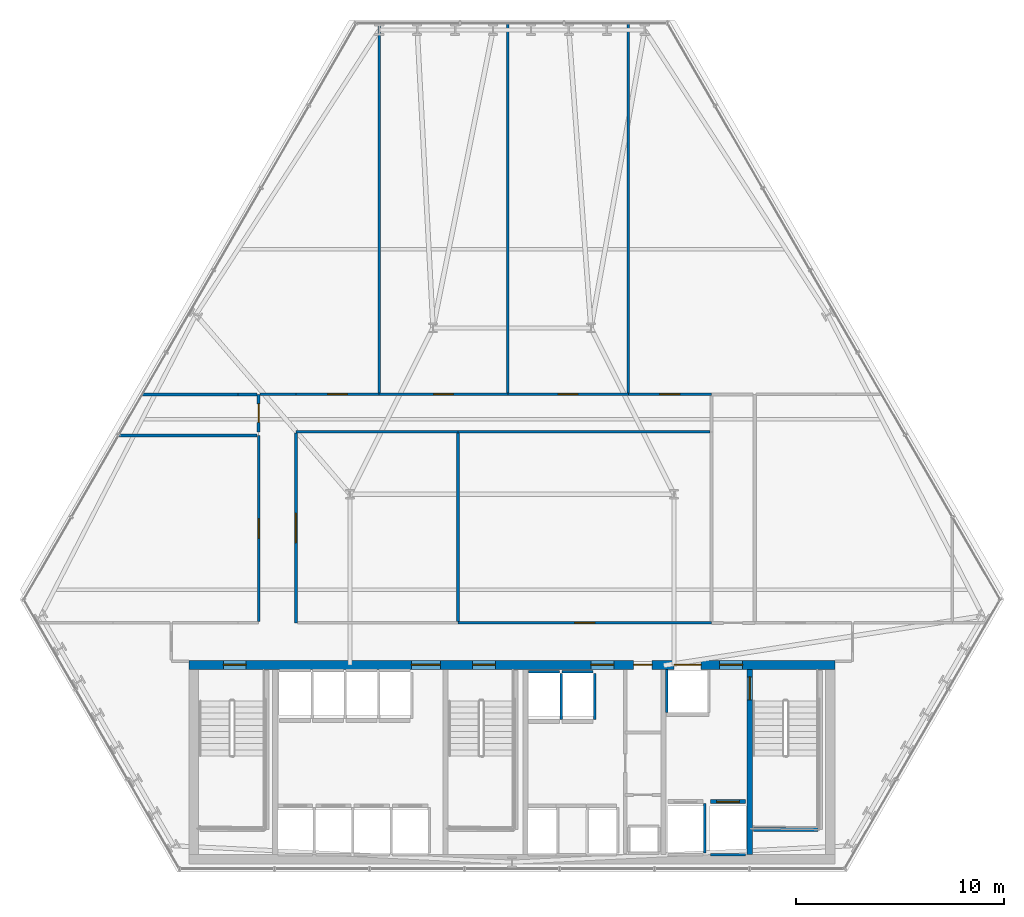
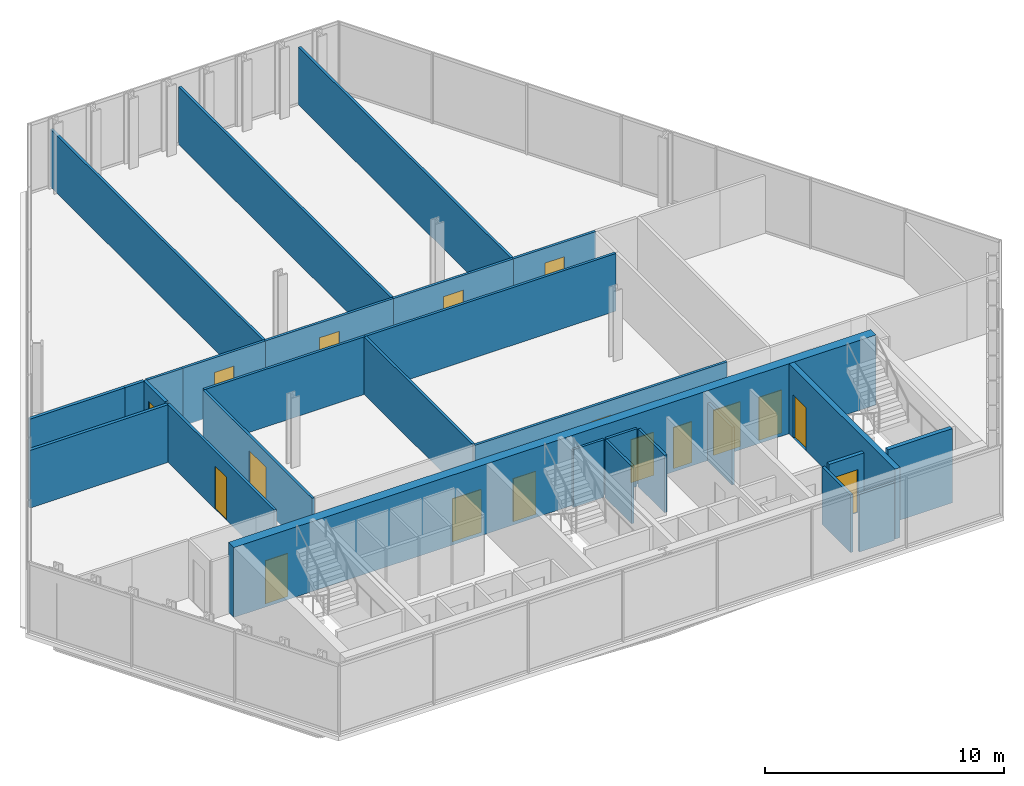
# One storey, part 28 of 32: 29 walls, 17 doors, 17 openings.
"""IFC4 building model written with IfcOpenShell, lengths in metres."""

from ifc_helpers import new_model, si_unit, direction, frame, frame_2d, origin, place, context, subcontext, project, spatial, rectangle, extrude, material, layer, layer_set, type_object, element, fill, save


model = new_model("IFC4")

# Units and contexts
model_context = context("Model", 3, precision=1e-05, world=origin(), true_north=direction((0.0, 1.0)))
body_context = subcontext(model_context, "Body", "Model", "MODEL_VIEW")
ifc_project = project(units=[si_unit("LENGTHUNIT", "METRE"), si_unit("AREAUNIT", "SQUARE_METRE"), si_unit("VOLUMEUNIT", "CUBIC_METRE"), si_unit("PLANEANGLEUNIT", "RADIAN"), si_unit("MASSUNIT", "GRAM", prefix="KILO")], contexts=[model_context])

# Site, building, storey
site_placement = place(None, origin())
site = spatial("IfcSite", under=ifc_project, at=site_placement, CompositionType="ELEMENT")
building_placement = place(site_placement, origin())
building = spatial("IfcBuilding", under=site, at=building_placement, Name="Ndaravel Arena Tower", CompositionType="ELEMENT")
storey_placement = place(building_placement, frame((0.0, 0.0, 70.199951171875)))
storey = spatial("IfcBuildingStorey", under=building, at=storey_placement, Name="L15", CompositionType="ELEMENT", Elevation=70.199951171875)

# Wall, opening, door
ifc_material_1 = material(Name="Concrete C60/75", Category="concrete")
ifc_layer_1 = layer(ifc_material_1, 0.25)
ifc_layer_set_1 = layer_set([ifc_layer_1], Name="Concrete C60/75")
wall_type_1 = type_object("IfcWallType", Name="WALL-CORE-250", PredefinedType="SOLIDWALL", material=ifc_layer_set_1)
wall_1_placement = place(storey_placement, frame((53.449951171875, 5.85009765625, 0.0), z_axis=(0.0, 0.0, 1.0), x_axis=(0.0, 1.0, 0.0)))
wall_1 = element("IfcWall", 1, at=wall_1_placement, inside=storey, type_object=wall_type_1, Name="L15 Core Web Shear Wall 5", PredefinedType="SOLIDWALL", context=body_context, shape_type="SweptSolid", body=[
    extrude(rectangle(XDim=8.89990234375, YDim=0.25, at=frame_2d((4.449951171875, 0.0))), origin(), (0.0, 0.0, 1.0), 3.580078125),
])
opening_1_placement = place(wall_1_placement, frame((7.449951171875, 0.0, 0.0)))
opening_1 = element("IfcOpeningElement", 2, at=opening_1_placement, cuts=wall_1, Name="Opening FD-01", PredefinedType="OPENING", context=body_context, shape_type="SweptSolid", body=[
    extrude(rectangle(XDim=1.10009765625, YDim=2.199951171875, at=frame_2d((0.550048828125, 1.10009765625))), frame((0.0, 0.125, 0.0), z_axis=(0.0, -1.0, 0.0), x_axis=(1.0, 0.0, 0.0)), (0.0, 0.0, 1.0), 0.25),
])
ifc_material_2 = material(Name="Steel S355", Category="steel")
door_type_1 = type_object("IfcDoorType", Name="DT-01-STAIR-1100", OperationType="SINGLE_SWING_LEFT", PredefinedType="DOOR", material=ifc_material_2)
door_1_placement = place(opening_1_placement, origin())
door_1 = element("IfcDoor", 3, at=door_1_placement, inside=storey, type_object=door_type_1, Name="L15 Firefighting Lobby to ST-3 Door", OperationType="SINGLE_SWING_LEFT", OverallHeight=2.199951171875, OverallWidth=1.10009765625, PredefinedType="DOOR", context=body_context, shape_type="SweptSolid", body=[
    extrude(rectangle(XDim=1.10009765625, YDim=2.199951171875, at=frame_2d((0.550048828125, 1.10009765625))), frame((0.0, 0.02490234375, 0.0), z_axis=(0.0, -1.0, 0.0), x_axis=(1.0, 0.0, 0.0)), (0.0, 0.0, 1.0), 0.050048828125),
])
fill(opening_1, door_1)

# Wall, openings, doors
ifc_material_3 = material(Name="Concrete C60/75", Category="concrete")
ifc_layer_2 = layer(ifc_material_3, 0.449951171875)
ifc_layer_set_2 = layer_set([ifc_layer_2], Name="Concrete C60/75")
wall_type_2 = type_object("IfcWallType", Name="WALL-CORE-450", PredefinedType="SOLIDWALL", material=ifc_layer_set_2)
wall_2_placement = place(storey_placement, frame((26.449951171875, 14.97509765625, 0.0), z_axis=(0.0, 0.0, 1.0), x_axis=(1.0, 0.0, 0.0)))
wall_2 = element("IfcWall", 4, at=wall_2_placement, inside=storey, type_object=wall_type_2, Name="L15 Core North Shear Wall", PredefinedType="SOLIDWALL", context=body_context, shape_type="SweptSolid", body=[
    extrude(rectangle(XDim=31.10009765625, YDim=0.449951171875, at=frame_2d((15.550048828125, 0.0))), origin(), (0.0, 0.0, 1.0), 3.580078125),
])
opening_2_placement = place(wall_2_placement, frame((1.64990234375, 0.0, 0.0)))
opening_2 = element("IfcOpeningElement", 5, at=opening_2_placement, cuts=wall_2, Name="Opening FD-01", PredefinedType="OPENING", context=body_context, shape_type="SweptSolid", body=[
    extrude(rectangle(XDim=1.10009765625, YDim=2.199951171875, at=frame_2d((0.550048828125, 1.10009765625))), frame((0.0, 0.22509765625, 0.0), z_axis=(0.0, -1.0, 0.0), x_axis=(1.0, 0.0, 0.0)), (0.0, 0.0, 1.0), 0.449951171875),
])
opening_3_placement = place(wall_2_placement, frame((13.64990234375, 0.0, 0.0)))
opening_3 = element("IfcOpeningElement", 6, at=opening_3_placement, cuts=wall_2, Name="Opening FD-01", PredefinedType="OPENING", context=body_context, shape_type="SweptSolid", body=[
    extrude(rectangle(XDim=1.10009765625, YDim=2.199951171875, at=frame_2d((0.550048828125, 1.10009765625))), frame((0.0, 0.22509765625, 0.0), z_axis=(0.0, -1.0, 0.0), x_axis=(1.0, 0.0, 0.0)), (0.0, 0.0, 1.0), 0.449951171875),
])
opening_4_placement = place(wall_2_placement, frame((25.550048828125, 0.0, 0.0)))
opening_4 = element("IfcOpeningElement", 7, at=opening_4_placement, cuts=wall_2, Name="Opening FD-01", PredefinedType="OPENING", context=body_context, shape_type="SweptSolid", body=[
    extrude(rectangle(XDim=1.10009765625, YDim=2.199951171875, at=frame_2d((0.550048828125, 1.10009765625))), frame((0.0, 0.22509765625, 0.0), z_axis=(0.0, -1.0, 0.0), x_axis=(1.0, 0.0, 0.0)), (0.0, 0.0, 1.0), 0.449951171875),
])
opening_5_placement = place(wall_2_placement, frame((10.699951171875, 0.0, 0.0)))
opening_5 = element("IfcOpeningElement", 8, at=opening_5_placement, cuts=wall_2, Name="Opening ID-02", PredefinedType="OPENING", context=body_context, shape_type="SweptSolid", body=[
    extrude(rectangle(XDim=1.39990234375, YDim=2.199951171875, at=frame_2d((0.699951171875, 1.10009765625))), frame((0.0, 0.22509765625, 0.0), z_axis=(0.0, -1.0, 0.0), x_axis=(1.0, 0.0, 0.0)), (0.0, 0.0, 1.0), 0.449951171875),
])
opening_6_placement = place(wall_2_placement, frame((19.35009765625, 0.0, 0.0)))
opening_6 = element("IfcOpeningElement", 9, at=opening_6_placement, cuts=wall_2, Name="Opening FD-01", PredefinedType="OPENING", context=body_context, shape_type="SweptSolid", body=[
    extrude(rectangle(XDim=1.10009765625, YDim=2.199951171875, at=frame_2d((0.550048828125, 1.10009765625))), frame((0.0, 0.22509765625, 0.0), z_axis=(0.0, -1.0, 0.0), x_axis=(1.0, 0.0, 0.0)), (0.0, 0.0, 1.0), 0.449951171875),
])
opening_7_placement = place(wall_2_placement, frame((21.39990234375, 0.0, 0.0)))
opening_7 = element("IfcOpeningElement", 10, at=opening_7_placement, cuts=wall_2, Name="Opening RD-01", PredefinedType="OPENING", context=body_context, shape_type="SweptSolid", body=[
    extrude(rectangle(XDim=0.89990234375, YDim=2.10009765625, at=frame_2d((0.449951171875, 1.050048828125))), frame((0.0, 0.22509765625, 0.0), z_axis=(0.0, -1.0, 0.0), x_axis=(1.0, 0.0, 0.0)), (0.0, 0.0, 1.0), 0.449951171875),
])
opening_8_placement = place(wall_2_placement, frame((23.35009765625, 0.0, 0.0)))
opening_8 = element("IfcOpeningElement", 11, at=opening_8_placement, cuts=wall_2, Name="Opening LD-02", PredefinedType="OPENING", context=body_context, shape_type="SweptSolid", body=[
    extrude(rectangle(XDim=1.300048828125, YDim=2.300048828125, at=frame_2d((0.64990234375, 1.14990234375))), frame((0.0, 0.22509765625, 0.0), z_axis=(0.0, -1.0, 0.0), x_axis=(1.0, 0.0, 0.0)), (0.0, 0.0, 1.0), 0.449951171875),
])
door_2_placement = place(opening_2_placement, origin())
door_2 = element("IfcDoor", 12, at=door_2_placement, inside=storey, type_object=door_type_1, Name="L15 Exit Stair ST-1 Door", OperationType="SINGLE_SWING_RIGHT", OverallHeight=2.199951171875, OverallWidth=1.10009765625, PredefinedType="DOOR", context=body_context, shape_type="SweptSolid", body=[
    extrude(rectangle(XDim=1.10009765625, YDim=2.199951171875, at=frame_2d((0.550048828125, 1.10009765625))), frame((0.0, 0.02490234375, 0.0), z_axis=(0.0, -1.0, 0.0), x_axis=(1.0, 0.0, 0.0)), (0.0, 0.0, 1.0), 0.050048828125),
])
fill(opening_2, door_2)
door_3_placement = place(opening_3_placement, origin())
door_3 = element("IfcDoor", 13, at=door_3_placement, inside=storey, type_object=door_type_1, Name="L15 Exit Stair ST-2 Door", OperationType="SINGLE_SWING_LEFT", OverallHeight=2.199951171875, OverallWidth=1.10009765625, PredefinedType="DOOR", context=body_context, shape_type="SweptSolid", body=[
    extrude(rectangle(XDim=1.10009765625, YDim=2.199951171875, at=frame_2d((0.550048828125, 1.10009765625))), frame((0.0, 0.02490234375, 0.0), z_axis=(0.0, -1.0, 0.0), x_axis=(1.0, 0.0, 0.0)), (0.0, 0.0, 1.0), 0.050048828125),
])
fill(opening_3, door_3)
door_4_placement = place(opening_4_placement, origin())
door_4 = element("IfcDoor", 14, at=door_4_placement, inside=storey, type_object=door_type_1, Name="L15 Firefighting Lift Lobby Door", OperationType="SINGLE_SWING_RIGHT", OverallHeight=2.199951171875, OverallWidth=1.10009765625, PredefinedType="DOOR", context=body_context, shape_type="SweptSolid", body=[
    extrude(rectangle(XDim=1.10009765625, YDim=2.199951171875, at=frame_2d((0.550048828125, 1.10009765625))), frame((0.0, 0.02490234375, 0.0), z_axis=(0.0, -1.0, 0.0), x_axis=(1.0, 0.0, 0.0)), (0.0, 0.0, 1.0), 0.050048828125),
])
fill(opening_4, door_4)
door_5_placement = place(opening_6_placement, origin())
door_5 = element("IfcDoor", 15, at=door_5_placement, inside=storey, type_object=door_type_1, Name="L15 Express Lift Lobby Entry Door", OperationType="SINGLE_SWING_LEFT", OverallHeight=2.199951171875, OverallWidth=1.10009765625, PredefinedType="DOOR", context=body_context, shape_type="SweptSolid", body=[
    extrude(rectangle(XDim=1.10009765625, YDim=2.199951171875, at=frame_2d((0.550048828125, 1.10009765625))), frame((0.0, 0.02490234375, 0.0), z_axis=(0.0, -1.0, 0.0), x_axis=(1.0, 0.0, 0.0)), (0.0, 0.0, 1.0), 0.050048828125),
])
fill(opening_6, door_5)
ifc_material_4 = material(Name="Timber", Category="wood")
door_type_2 = type_object("IfcDoorType", Name="DT-04-SUITE-1400", OperationType="DOUBLE_DOOR_SINGLE_SWING", PredefinedType="DOOR", material=ifc_material_4)
door_6_placement = place(opening_5_placement, origin())
door_6 = element("IfcDoor", 16, at=door_6_placement, inside=storey, type_object=door_type_2, Name="L15 West Lift Lobby Entry Door", OperationType="DOUBLE_DOOR_SINGLE_SWING", OverallHeight=2.199951171875, OverallWidth=1.39990234375, PredefinedType="DOOR", context=body_context, shape_type="SweptSolid", body=[
    extrude(rectangle(XDim=1.39990234375, YDim=2.199951171875, at=frame_2d((0.699951171875, 1.10009765625))), frame((0.0, 0.02490234375, 0.0), z_axis=(0.0, -1.0, 0.0), x_axis=(1.0, 0.0, 0.0)), (0.0, 0.0, 1.0), 0.050048828125),
])
fill(opening_5, door_6)
ifc_material_5 = material(Name="Steel S355", Category="steel")
door_type_3 = type_object("IfcDoorType", Name="DT-07-SVLIFT-1300", OperationType="DOUBLE_DOOR_SLIDING", PredefinedType="DOOR", material=ifc_material_5)
door_7_placement = place(opening_8_placement, origin())
door_7 = element("IfcDoor", 17, at=door_7_placement, inside=storey, type_object=door_type_3, Name="L15 Lift SVL-1 Sliding Landing Door", OperationType="DOUBLE_DOOR_SLIDING", OverallHeight=2.300048828125, OverallWidth=1.300048828125, PredefinedType="DOOR", context=body_context, shape_type="SweptSolid", body=[
    extrude(rectangle(XDim=1.300048828125, YDim=2.300048828125, at=frame_2d((0.64990234375, 1.14990234375))), frame((0.0, 0.02490234375, 0.0), z_axis=(0.0, -1.0, 0.0), x_axis=(1.0, 0.0, 0.0)), (0.0, 0.0, 1.0), 0.050048828125),
])
fill(opening_8, door_7)
ifc_material_6 = material(Name="Steel S355", Category="steel")
door_type_4 = type_object("IfcDoorType", Name="DT-08-RISER-900", OperationType="SINGLE_SWING_LEFT", PredefinedType="DOOR", material=ifc_material_6)
door_8_placement = place(opening_7_placement, origin())
door_8 = element("IfcDoor", 18, at=door_8_placement, inside=storey, type_object=door_type_4, Name="L15 Core Service Riser North Door", OperationType="SINGLE_SWING_LEFT", OverallHeight=2.10009765625, OverallWidth=0.89990234375, PredefinedType="DOOR", context=body_context, shape_type="SweptSolid", body=[
    extrude(rectangle(XDim=0.89990234375, YDim=2.10009765625, at=frame_2d((0.449951171875, 1.050048828125))), frame((0.0, 0.02490234375, 0.0), z_axis=(0.0, -1.0, 0.0), x_axis=(1.0, 0.0, 0.0)), (0.0, 0.0, 1.0), 0.050048828125),
])
fill(opening_7, door_8)

# Wall, opening, door
ifc_material_7 = material(Name="Gypsum", Category="gypsum")
ifc_layer_3 = layer(ifc_material_7, 0.125)
ifc_layer_set_3 = layer_set([ifc_layer_3], Name="Gypsum")
wall_type_3 = type_object("IfcWallType", Name="WALL-PART-125", PredefinedType="PARTITIONING", material=ifc_layer_set_3)
wall_3_placement = place(storey_placement, frame((29.800048828125, 17.06494140625, 0.0), z_axis=(0.0, 0.0, 1.0), x_axis=(0.0, 1.0, 0.0)))
wall_3 = element("IfcWall", 19, at=wall_3_placement, inside=storey, type_object=wall_type_3, Name="L15 Interior Partition 007", PredefinedType="PARTITIONING", context=body_context, shape_type="SweptSolid", body=[
    extrude(rectangle(XDim=8.955078125, YDim=0.125, at=frame_2d((4.4775390625, 0.0))), origin(), (0.0, 0.0, 1.0), 2.949951171875),
])
opening_9_placement = place(wall_3_placement, frame((4.00244140625, 0.0, 0.0)))
opening_9 = element("IfcOpeningElement", 20, at=opening_9_placement, cuts=wall_3, Name="Opening ID-01", PredefinedType="OPENING", context=body_context, shape_type="SweptSolid", body=[
    extrude(rectangle(XDim=0.949951171875, YDim=2.199951171875, at=frame_2d((0.47509765625, 1.10009765625))), frame((0.0, 0.0625, 0.0), z_axis=(0.0, -1.0, 0.0), x_axis=(1.0, 0.0, 0.0)), (0.0, 0.0, 1.0), 0.125),
])
ifc_material_8 = material(Name="Timber", Category="wood")
door_type_5 = type_object("IfcDoorType", Name="DT-03-OFFICE-950", OperationType="SINGLE_SWING_LEFT", PredefinedType="DOOR", material=ifc_material_8)
door_9_placement = place(opening_9_placement, origin())
door_9 = element("IfcDoor", 21, at=door_9_placement, inside=storey, type_object=door_type_5, Name="L15 Staff Wellness Clinic Door", OperationType="SINGLE_SWING_RIGHT", OverallHeight=2.199951171875, OverallWidth=0.949951171875, PredefinedType="DOOR", context=body_context, shape_type="SweptSolid", body=[
    extrude(rectangle(XDim=0.949951171875, YDim=2.199951171875, at=frame_2d((0.47509765625, 1.10009765625))), frame((0.0, 0.02490234375, 0.0), z_axis=(0.0, -1.0, 0.0), x_axis=(1.0, 0.0, 0.0)), (0.0, 0.0, 1.0), 0.050048828125),
])
fill(opening_9, door_9)

# Wall
wall_4_placement = place(storey_placement, frame((29.864990234375, 28.0, 0.0), z_axis=(0.0, 0.0, 1.0), x_axis=(1.0, 0.0, 0.0)))
element("IfcWall", 22, at=wall_4_placement, inside=storey, type_object=wall_type_3, Name="L15 Interior Partition 009", PredefinedType="PARTITIONING", context=body_context, shape_type="SweptSolid", body=[
    extrude(rectangle(XDim=1.735107421875, YDim=0.125, at=frame_2d((0.86767578125, 0.0))), origin(), (0.0, 0.0, 1.0), 2.949951171875),
])

# Wall, opening, door
wall_5_placement = place(storey_placement, frame((31.60009765625, 28.0, 0.0), z_axis=(0.0, 0.0, 1.0), x_axis=(1.0, 0.0, 0.0)))
wall_5 = element("IfcWall", 23, at=wall_5_placement, inside=storey, type_object=wall_type_3, Name="L15 Interior Partition 010", PredefinedType="PARTITIONING", context=body_context, shape_type="SweptSolid", body=[
    extrude(rectangle(XDim=4.0, YDim=0.125, at=frame_2d((2.0, 0.0))), origin(), (0.0, 0.0, 1.0), 2.949951171875),
])
opening_10_placement = place(wall_5_placement, frame((1.52490234375, 0.0, 0.0)))
opening_10 = element("IfcOpeningElement", 24, at=opening_10_placement, cuts=wall_5, Name="Opening ID-01", PredefinedType="OPENING", context=body_context, shape_type="SweptSolid", body=[
    extrude(rectangle(XDim=0.949951171875, YDim=2.199951171875, at=frame_2d((0.47509765625, 1.10009765625))), frame((0.0, 0.0625, 0.0), z_axis=(0.0, -1.0, 0.0), x_axis=(1.0, 0.0, 0.0)), (0.0, 0.0, 1.0), 0.125),
])
door_10_placement = place(opening_10_placement, origin())
door_10 = element("IfcDoor", 25, at=door_10_placement, inside=storey, type_object=door_type_5, Name="L15 Wellness Fitness Gym 2 Door", OperationType="SINGLE_SWING_RIGHT", OverallHeight=2.199951171875, OverallWidth=0.949951171875, PredefinedType="DOOR", context=body_context, shape_type="SweptSolid", body=[
    extrude(rectangle(XDim=0.949951171875, YDim=2.199951171875, at=frame_2d((0.47509765625, 1.10009765625))), frame((0.0, 0.02490234375, 0.0), z_axis=(0.0, -1.0, 0.0), x_axis=(1.0, 0.0, 0.0)), (0.0, 0.0, 1.0), 0.050048828125),
])
fill(opening_10, door_10)

wall_6_placement = place(storey_placement, frame((35.60009765625, 28.0, 0.0), z_axis=(0.0, 0.0, 1.0), x_axis=(1.0, 0.0, 0.0)))
wall_6 = element("IfcWall", 26, at=wall_6_placement, inside=storey, type_object=wall_type_3, Name="L15 Interior Partition 011", PredefinedType="PARTITIONING", context=body_context, shape_type="SweptSolid", body=[
    extrude(rectangle(XDim=6.199951171875, YDim=0.125, at=frame_2d((3.10009765625, 0.0))), origin(), (0.0, 0.0, 1.0), 2.949951171875),
])
opening_11_placement = place(wall_6_placement, frame((2.625, 0.0, 0.0)))
opening_11 = element("IfcOpeningElement", 27, at=opening_11_placement, cuts=wall_6, Name="Opening ID-01", PredefinedType="OPENING", context=body_context, shape_type="SweptSolid", body=[
    extrude(rectangle(XDim=0.949951171875, YDim=2.199951171875, at=frame_2d((0.47509765625, 1.10009765625))), frame((0.0, 0.0625, 0.0), z_axis=(0.0, -1.0, 0.0), x_axis=(1.0, 0.0, 0.0)), (0.0, 0.0, 1.0), 0.125),
])
door_11_placement = place(opening_11_placement, origin())
door_11 = element("IfcDoor", 28, at=door_11_placement, inside=storey, type_object=door_type_5, Name="L15 Executive Corner Office 4 Door", OperationType="SINGLE_SWING_RIGHT", OverallHeight=2.199951171875, OverallWidth=0.949951171875, PredefinedType="DOOR", context=body_context, shape_type="SweptSolid", body=[
    extrude(rectangle(XDim=0.949951171875, YDim=2.199951171875, at=frame_2d((0.47509765625, 1.10009765625))), frame((0.0, 0.02490234375, 0.0), z_axis=(0.0, -1.0, 0.0), x_axis=(1.0, 0.0, 0.0)), (0.0, 0.0, 1.0), 0.050048828125),
])
fill(opening_11, door_11)

wall_7_placement = place(storey_placement, frame((41.800048828125, 28.0, 0.0), z_axis=(0.0, 0.0, 1.0), x_axis=(1.0, 0.0, 0.0)))
wall_7 = element("IfcWall", 29, at=wall_7_placement, inside=storey, type_object=wall_type_3, Name="L15 Interior Partition 012", PredefinedType="PARTITIONING", context=body_context, shape_type="SweptSolid", body=[
    extrude(rectangle(XDim=5.800048828125, YDim=0.125, at=frame_2d((2.89990234375, 0.0))), origin(), (0.0, 0.0, 1.0), 2.949951171875),
])
opening_12_placement = place(wall_7_placement, frame((2.425048828125, 0.0, 0.0)))
opening_12 = element("IfcOpeningElement", 30, at=opening_12_placement, cuts=wall_7, Name="Opening ID-01", PredefinedType="OPENING", context=body_context, shape_type="SweptSolid", body=[
    extrude(rectangle(XDim=0.949951171875, YDim=2.199951171875, at=frame_2d((0.47509765625, 1.10009765625))), frame((0.0, 0.0625, 0.0), z_axis=(0.0, -1.0, 0.0), x_axis=(1.0, 0.0, 0.0)), (0.0, 0.0, 1.0), 0.125),
])
door_12_placement = place(opening_12_placement, origin())
door_12 = element("IfcDoor", 31, at=door_12_placement, inside=storey, type_object=door_type_5, Name="L15 Design Workshop 4 Door", OperationType="SINGLE_SWING_LEFT", OverallHeight=2.199951171875, OverallWidth=0.949951171875, PredefinedType="DOOR", context=body_context, shape_type="SweptSolid", body=[
    extrude(rectangle(XDim=0.949951171875, YDim=2.199951171875, at=frame_2d((0.47509765625, 1.10009765625))), frame((0.0, 0.02490234375, 0.0), z_axis=(0.0, -1.0, 0.0), x_axis=(1.0, 0.0, 0.0)), (0.0, 0.0, 1.0), 0.050048828125),
])
fill(opening_12, door_12)

wall_8_placement = place(storey_placement, frame((47.60009765625, 28.0, 0.0), z_axis=(0.0, 0.0, 1.0), x_axis=(1.0, 0.0, 0.0)))
wall_8 = element("IfcWall", 32, at=wall_8_placement, inside=storey, type_object=wall_type_3, Name="L15 Interior Partition 013", PredefinedType="PARTITIONING", context=body_context, shape_type="SweptSolid", body=[
    extrude(rectangle(XDim=4.0, YDim=0.125, at=frame_2d((2.0, 0.0))), origin(), (0.0, 0.0, 1.0), 2.949951171875),
])
opening_13_placement = place(wall_8_placement, frame((1.52490234375, 0.0, 0.0)))
opening_13 = element("IfcOpeningElement", 33, at=opening_13_placement, cuts=wall_8, Name="Opening ID-01", PredefinedType="OPENING", context=body_context, shape_type="SweptSolid", body=[
    extrude(rectangle(XDim=0.949951171875, YDim=2.199951171875, at=frame_2d((0.47509765625, 1.10009765625))), frame((0.0, 0.0625, 0.0), z_axis=(0.0, -1.0, 0.0), x_axis=(1.0, 0.0, 0.0)), (0.0, 0.0, 1.0), 0.125),
])
door_13_placement = place(opening_13_placement, origin())
door_13 = element("IfcDoor", 34, at=door_13_placement, inside=storey, type_object=door_type_5, Name="L15 Media Cinema Room 3 Door", OperationType="SINGLE_SWING_LEFT", OverallHeight=2.199951171875, OverallWidth=0.949951171875, PredefinedType="DOOR", context=body_context, shape_type="SweptSolid", body=[
    extrude(rectangle(XDim=0.949951171875, YDim=2.199951171875, at=frame_2d((0.47509765625, 1.10009765625))), frame((0.0, 0.02490234375, 0.0), z_axis=(0.0, -1.0, 0.0), x_axis=(1.0, 0.0, 0.0)), (0.0, 0.0, 1.0), 0.050048828125),
])
fill(opening_13, door_13)

# Walls
wall_9_placement = place(storey_placement, frame((51.534912109375, 26.199951171875, 0.0), z_axis=(0.0, 0.0, 1.0), x_axis=(-1.0, 0.0, 0.0)))
element("IfcWall", 35, at=wall_9_placement, inside=storey, type_object=wall_type_3, Name="L15 Interior Partition 015", PredefinedType="PARTITIONING", context=body_context, shape_type="SweptSolid", body=[
    extrude(rectangle(XDim=12.135009765625, YDim=0.125, at=frame_2d((6.0673828125, 0.0))), origin(), (0.0, 0.0, 1.0), 2.949951171875),
])
wall_10_placement = place(storey_placement, frame((39.39990234375, 26.199951171875, 0.0), z_axis=(0.0, 0.0, 1.0), x_axis=(-1.0, 0.0, 0.0)))
element("IfcWall", 36, at=wall_10_placement, inside=storey, type_object=wall_type_3, Name="L15 Interior Partition 016", PredefinedType="PARTITIONING", context=body_context, shape_type="SweptSolid", body=[
    extrude(rectangle(XDim=7.7998046875, YDim=0.125, at=frame_2d((3.89990234375, 0.0))), origin(), (0.0, 0.0, 1.0), 2.949951171875),
])

# Wall, opening, door
wall_11_placement = place(storey_placement, frame((31.60009765625, 26.135009765625, 0.0), z_axis=(0.0, 0.0, 1.0), x_axis=(0.0, -1.0, 0.0)))
wall_11 = element("IfcWall", 37, at=wall_11_placement, inside=storey, type_object=wall_type_3, Name="L15 Interior Partition 017", PredefinedType="PARTITIONING", context=body_context, shape_type="SweptSolid", body=[
    extrude(rectangle(XDim=9.135009765625, YDim=0.125, at=frame_2d((4.5673828125, 0.0))), origin(), (0.0, 0.0, 1.0), 2.949951171875),
])
opening_14_placement = place(wall_11_placement, frame((3.867431640625, 0.0, 0.0)))
opening_14 = element("IfcOpeningElement", 38, at=opening_14_placement, cuts=wall_11, Name="Opening ID-02", PredefinedType="OPENING", context=body_context, shape_type="SweptSolid", body=[
    extrude(rectangle(XDim=1.39990234375, YDim=2.199951171875, at=frame_2d((0.699951171875, 1.10009765625))), frame((0.0, 0.0625, 0.0), z_axis=(0.0, -1.0, 0.0), x_axis=(1.0, 0.0, 0.0)), (0.0, 0.0, 1.0), 0.125),
])
door_14_placement = place(opening_14_placement, origin())
door_14 = element("IfcDoor", 39, at=door_14_placement, inside=storey, type_object=door_type_2, Name="L15 Executive Boardroom Door", OperationType="SINGLE_SWING_LEFT", OverallHeight=2.199951171875, OverallWidth=1.39990234375, PredefinedType="DOOR", context=body_context, shape_type="SweptSolid", body=[
    extrude(rectangle(XDim=1.39990234375, YDim=2.199951171875, at=frame_2d((0.699951171875, 1.10009765625))), frame((0.0, 0.02490234375, 0.0), z_axis=(0.0, -1.0, 0.0), x_axis=(1.0, 0.0, 0.0)), (0.0, 0.0, 1.0), 0.050048828125),
])
fill(opening_14, door_14)

wall_12_placement = place(storey_placement, frame((39.39990234375, 17.0, 0.0), z_axis=(0.0, 0.0, 1.0), x_axis=(1.0, 0.0, 0.0)))
wall_12 = element("IfcWall", 40, at=wall_12_placement, inside=storey, type_object=wall_type_3, Name="L15 Interior Partition 019", PredefinedType="PARTITIONING", context=body_context, shape_type="SweptSolid", body=[
    extrude(rectangle(XDim=12.2001953125, YDim=0.125, at=frame_2d((6.10009765625, 0.0))), origin(), (0.0, 0.0, 1.0), 2.949951171875),
])
opening_15_placement = place(wall_12_placement, frame((5.625, 0.0, 0.0)))
opening_15 = element("IfcOpeningElement", 41, at=opening_15_placement, cuts=wall_12, Name="Opening ID-01", PredefinedType="OPENING", context=body_context, shape_type="SweptSolid", body=[
    extrude(rectangle(XDim=0.949951171875, YDim=2.199951171875, at=frame_2d((0.47509765625, 1.10009765625))), frame((0.0, 0.0625, 0.0), z_axis=(0.0, -1.0, 0.0), x_axis=(1.0, 0.0, 0.0)), (0.0, 0.0, 1.0), 0.125),
])
door_15_placement = place(opening_15_placement, origin())
door_15 = element("IfcDoor", 42, at=door_15_placement, inside=storey, type_object=door_type_5, Name="L15 Cellular Partner Office 2 Door", OperationType="SINGLE_SWING_RIGHT", OverallHeight=2.199951171875, OverallWidth=0.949951171875, PredefinedType="DOOR", context=body_context, shape_type="SweptSolid", body=[
    extrude(rectangle(XDim=0.949951171875, YDim=2.199951171875, at=frame_2d((0.47509765625, 1.10009765625))), frame((0.0, 0.02490234375, 0.0), z_axis=(0.0, -1.0, 0.0), x_axis=(1.0, 0.0, 0.0)), (0.0, 0.0, 1.0), 0.050048828125),
])
fill(opening_15, door_15)

# Walls
wall_13_placement = place(storey_placement, frame((39.39990234375, 26.135009765625, 0.0), z_axis=(0.0, 0.0, 1.0), x_axis=(0.0, -1.0, 0.0)))
element("IfcWall", 43, at=wall_13_placement, inside=storey, type_object=wall_type_3, Name="L15 Interior Partition 028", PredefinedType="PARTITIONING", context=body_context, shape_type="SweptSolid", body=[
    extrude(rectangle(XDim=9.070068359375, YDim=0.125, at=frame_2d((4.53515625, 0.0))), origin(), (0.0, 0.0, 1.0), 2.949951171875),
])
for number, where, z_axis, x_axis, name in (
    (44, (35.60009765625, 45.865478515625, 0.0), (0.0, 0.0, 1.0), (0.0, -1.0, 0.0), "L15 Interior Partition 037"),
    (45, (47.60009765625, 28.06494140625, 0.0), (0.0, 0.0, 1.0), (0.0, 1.0, 0.0), "L15 Interior Partition 038"),
    (46, (41.800048828125, 45.865478515625, 0.0), (0.0, 0.0, 1.0), (0.0, -1.0, 0.0), "L15 Interior Partition 039"),
):
    element("IfcWall", number, at=place(storey_placement, frame(where, z_axis=z_axis, x_axis=x_axis)), inside=storey, type_object=wall_type_3, Name=name, PredefinedType="PARTITIONING", context=body_context, shape_type="SweptSolid", body=[
        extrude(rectangle(XDim=17.800537109375, YDim=0.125, at=frame_2d((8.900390625, 0.0))), origin(), (0.0, 0.0, 1.0), 2.949951171875),
    ])
ifc_material_9 = material(Name="Concrete C40/50", Category="concrete")
ifc_layer_4 = layer(ifc_material_9, 0.1201171875)
ifc_layer_set_4 = layer_set([ifc_layer_4], Name="Concrete C40/50")
wall_type_4 = type_object("IfcWallType", Name="WALL-SHAFT-120", PredefinedType="SOLIDWALL", material=ifc_layer_set_4)
wall_14_placement = place(storey_placement, frame((42.804931640625, 14.659912109375, 0.0), z_axis=(0.0, 0.0, 1.0), x_axis=(1.0, 0.0, 0.0)))
element("IfcWall", 47, at=wall_14_placement, inside=storey, type_object=wall_type_4, Name="L15 PL-OBS1 Shaft Rear Wall", PredefinedType="SOLIDWALL", context=body_context, shape_type="SweptSolid", body=[
    extrude(rectangle(XDim=1.489990234375, YDim=0.1201171875, at=frame_2d((0.7451171875, 0.0))), origin(), (0.0, 0.0, 1.0), 2.949951171875),
])
wall_15_placement = place(storey_placement, frame((44.375, 12.340087890625, 0.0), z_axis=(0.0, 0.0, 1.0), x_axis=(0.0, 1.0, 0.0)))
element("IfcWall", 48, at=wall_15_placement, inside=storey, type_object=wall_type_4, Name="L15 PL-OBS1 Shaft Side R Wall", PredefinedType="SOLIDWALL", context=body_context, shape_type="SweptSolid", body=[
    extrude(rectangle(XDim=2.22998046875, YDim=0.1201171875, at=frame_2d((1.114990234375, 0.0))), origin(), (0.0, 0.0, 1.0), 2.949951171875),
])
wall_16_placement = place(storey_placement, frame((44.405029296875, 14.659912109375, 0.0), z_axis=(0.0, 0.0, 1.0), x_axis=(1.0, 0.0, 0.0)))
element("IfcWall", 49, at=wall_16_placement, inside=storey, type_object=wall_type_4, Name="L15 PL-OBS2 Shaft Rear Wall", PredefinedType="SOLIDWALL", context=body_context, shape_type="SweptSolid", body=[
    extrude(rectangle(XDim=1.489990234375, YDim=0.1201171875, at=frame_2d((0.7451171875, 0.0))), origin(), (0.0, 0.0, 1.0), 2.949951171875),
])
wall_17_placement = place(storey_placement, frame((45.97509765625, 12.340087890625, 0.0), z_axis=(0.0, 0.0, 1.0), x_axis=(0.0, 1.0, 0.0)))
element("IfcWall", 50, at=wall_17_placement, inside=storey, type_object=wall_type_4, Name="L15 PL-OBS2 Shaft Side R Wall", PredefinedType="SOLIDWALL", context=body_context, shape_type="SweptSolid", body=[
    extrude(rectangle(XDim=2.22998046875, YDim=0.1201171875, at=frame_2d((1.114990234375, 0.0))), origin(), (0.0, 0.0, 1.0), 2.949951171875),
])
wall_18_placement = place(storey_placement, frame((51.27490234375, 5.929931640625, 0.0), z_axis=(0.0, 0.0, 1.0), x_axis=(0.0, 1.0, 0.0)))
element("IfcWall", 51, at=wall_18_placement, inside=storey, type_object=wall_type_4, Name="L15 FFL-1 Shaft Side R Wall", PredefinedType="SOLIDWALL", context=body_context, shape_type="SweptSolid", body=[
    extrude(rectangle(XDim=2.380126953125, YDim=0.1201171875, at=frame_2d((1.18994140625, 0.0))), origin(), (0.0, 0.0, 1.0), 2.949951171875),
])
wall_19_placement = place(storey_placement, frame((51.554931640625, 5.840087890625, 0.0), z_axis=(0.0, 0.0, 1.0), x_axis=(1.0, 0.0, 0.0)))
element("IfcWall", 52, at=wall_19_placement, inside=storey, type_object=wall_type_4, Name="L15 FFL-2 Shaft Rear Wall", PredefinedType="SOLIDWALL", context=body_context, shape_type="SweptSolid", body=[
    extrude(rectangle(XDim=1.690185546875, YDim=0.1201171875, at=frame_2d((0.84521484375, 0.0))), origin(), (0.0, 0.0, 1.0), 2.949951171875),
])
wall_20_placement = place(storey_placement, frame((49.43994140625, 12.68994140625, 0.0), z_axis=(0.0, 0.0, 1.0), x_axis=(0.0, 1.0, 0.0)))
element("IfcWall", 53, at=wall_20_placement, inside=storey, type_object=wall_type_4, Name="L15 SVL-1 Shaft W Wall", PredefinedType="SOLIDWALL", context=body_context, shape_type="SweptSolid", body=[
    extrude(rectangle(XDim=2.070068359375, YDim=0.1201171875, at=frame_2d((1.03515625, 0.0))), origin(), (0.0, 0.0, 1.0), 2.949951171875),
])
ifc_material_10 = material(Name="Concrete C40/50", Category="concrete")
ifc_layer_5 = layer(ifc_material_10, 0.199951171875)
ifc_layer_set_5 = layer_set([ifc_layer_5], Name="Concrete C40/50")
wall_type_5 = type_object("IfcWallType", Name="WALL-SHAFT-200", PredefinedType="SOLIDWALL", material=ifc_layer_set_5)
wall_21_placement = place(storey_placement, frame((53.6201171875, 7.050048828125, 0.0), z_axis=(0.0, 0.0, 1.0), x_axis=(1.0, 0.0, 0.0)))
element("IfcWall", 54, at=wall_21_placement, inside=storey, type_object=wall_type_5, Name="L15 ST-3 Structural Shaft Wall Far", PredefinedType="SOLIDWALL", context=body_context, shape_type="SweptSolid", body=[
    extrude(rectangle(XDim=3.114990234375, YDim=0.199951171875, at=frame_2d((1.5576171875, 0.0))), origin(), (0.0, 0.0, 1.0), 3.800048828125),
])

# Wall, opening, door
wall_22_placement = place(storey_placement, frame((51.554931640625, 8.39990234375, 0.0), z_axis=(0.0, 0.0, 1.0), x_axis=(1.0, 0.0, 0.0)))
wall_22 = element("IfcWall", 55, at=wall_22_placement, inside=storey, type_object=wall_type_5, Name="L15 FFL-2 Shaft Landing Wall", PredefinedType="SOLIDWALL", context=body_context, shape_type="SweptSolid", body=[
    extrude(rectangle(XDim=1.690185546875, YDim=0.179931640625, at=frame_2d((0.84521484375, 0.0))), origin(), (0.0, 0.0, 1.0), 2.949951171875),
])
opening_16_placement = place(wall_22_placement, frame((0.294921875, 0.0, 0.0)))
opening_16 = element("IfcOpeningElement", 56, at=opening_16_placement, cuts=wall_22, Name="Opening LD-01", PredefinedType="OPENING", context=body_context, shape_type="SweptSolid", body=[
    extrude(rectangle(XDim=1.10009765625, YDim=2.199951171875, at=frame_2d((0.550048828125, 1.10009765625))), frame((0.0, 0.08984375, 0.0), z_axis=(0.0, -1.0, 0.0), x_axis=(1.0, 0.0, 0.0)), (0.0, 0.0, 1.0), 0.179931640625),
])
ifc_material_11 = material(Name="Steel S355", Category="steel")
door_type_6 = type_object("IfcDoorType", Name="DT-06-LIFT-1100", OperationType="SLIDING_TO_LEFT", PredefinedType="DOOR", material=ifc_material_11)
door_16_placement = place(opening_16_placement, origin())
door_16 = element("IfcDoor", 57, at=door_16_placement, inside=storey, type_object=door_type_6, Name="L15 Lift FFL-2 Sliding Landing Door", OperationType="SLIDING_TO_LEFT", OverallHeight=2.199951171875, OverallWidth=1.10009765625, PredefinedType="DOOR", context=body_context, shape_type="SweptSolid", body=[
    extrude(rectangle(XDim=1.10009765625, YDim=2.199951171875, at=frame_2d((0.550048828125, 1.10009765625))), frame((0.0, 0.02490234375, 0.0), z_axis=(0.0, -1.0, 0.0), x_axis=(1.0, 0.0, 0.0)), (0.0, 0.0, 1.0), 0.050048828125),
])
fill(opening_16, door_16)

ifc_material_12 = material(Name="Masonry", Category="masonry")
ifc_layer_6 = layer(ifc_material_12, 0.14990234375)
ifc_layer_set_6 = layer_set([ifc_layer_6], Name="Masonry")
wall_type_6 = type_object("IfcWallType", Name="WALL-WET-150", PredefinedType="PARTITIONING", material=ifc_layer_set_6)
wall_23_placement = place(storey_placement, frame((29.800048828125, 26.199951171875, 0.0), z_axis=(0.0, 0.0, 1.0), x_axis=(0.0, 1.0, 0.0)))
wall_23 = element("IfcWall", 58, at=wall_23_placement, inside=storey, type_object=wall_type_6, Name="L15 Interior Partition 008", PredefinedType="PARTITIONING", context=body_context, shape_type="SweptSolid", body=[
    extrude(rectangle(XDim=1.800048828125, YDim=0.14990234375, at=frame_2d((0.89990234375, 0.0))), origin(), (0.0, 0.0, 1.0), 2.949951171875),
])
opening_17_placement = place(wall_23_placement, frame((0.449951171875, 0.0, 0.0)))
opening_17 = element("IfcOpeningElement", 59, at=opening_17_placement, cuts=wall_23, Name="Opening WD-01", PredefinedType="OPENING", context=body_context, shape_type="SweptSolid", body=[
    extrude(rectangle(XDim=0.89990234375, YDim=2.14990234375, at=frame_2d((0.449951171875, 1.074951171875))), frame((0.0, 0.074951171875, 0.0), z_axis=(0.0, -1.0, 0.0), x_axis=(1.0, 0.0, 0.0)), (0.0, 0.0, 1.0), 0.14990234375),
])
ifc_material_13 = material(Name="Timber", Category="wood")
door_type_7 = type_object("IfcDoorType", Name="DT-05-WC-900", OperationType="SINGLE_SWING_LEFT", PredefinedType="DOOR", material=ifc_material_13)
door_17_placement = place(opening_17_placement, origin())
door_17 = element("IfcDoor", 60, at=door_17_placement, inside=storey, type_object=door_type_7, Name="L15 Female & Accessible Restroom Door", OperationType="SINGLE_SWING_LEFT", OverallHeight=2.14990234375, OverallWidth=0.89990234375, PredefinedType="DOOR", context=body_context, shape_type="SweptSolid", body=[
    extrude(rectangle(XDim=0.89990234375, YDim=2.14990234375, at=frame_2d((0.449951171875, 1.074951171875))), frame((0.0, 0.02490234375, 0.0), z_axis=(0.0, -1.0, 0.0), x_axis=(1.0, 0.0, 0.0)), (0.0, 0.0, 1.0), 0.050048828125),
])
fill(opening_17, door_17)

# Walls
wall_24_placement = place(storey_placement, frame((23.055419921875, 26.02001953125, 0.0), z_axis=(0.0, 0.0, 1.0), x_axis=(1.0, 0.0, 0.0)))
element("IfcWall", 61, at=wall_24_placement, inside=storey, type_object=wall_type_6, Name="L15 Interior Partition 027", PredefinedType="PARTITIONING", context=body_context, shape_type="SweptSolid", body=[
    extrude(rectangle(XDim=6.6796875, YDim=0.14990234375, at=frame_2d((3.33984375, 0.0))), origin(), (0.0, 0.0, 1.0), 2.949951171875),
])
wall_25_placement = place(storey_placement, frame((24.19873046875, 28.0, 0.0), z_axis=(0.0, 0.0, 1.0), x_axis=(1.0, 0.0, 0.0)))
element("IfcWall", 62, at=wall_25_placement, inside=storey, type_object=wall_type_6, Name="L15 Interior Partition 035", PredefinedType="PARTITIONING", context=body_context, shape_type="SweptSolid", body=[
    extrude(rectangle(XDim=4.601318359375, YDim=0.14990234375, at=frame_2d((2.30078125, 0.0))), origin(), (0.0, 0.0, 1.0), 2.949951171875),
])
wall_26_placement = place(storey_placement, frame((28.800048828125, 28.0, 0.0), z_axis=(0.0, 0.0, 1.0), x_axis=(1.0, 0.0, 0.0)))
element("IfcWall", 63, at=wall_26_placement, inside=storey, type_object=wall_type_6, Name="L15 Interior Partition 036", PredefinedType="PARTITIONING", context=body_context, shape_type="SweptSolid", body=[
    extrude(rectangle(XDim=0.93505859375, YDim=0.14990234375, at=frame_2d((0.467529296875, 0.0))), origin(), (0.0, 0.0, 1.0), 2.949951171875),
])

save(model, "model.ifc")
